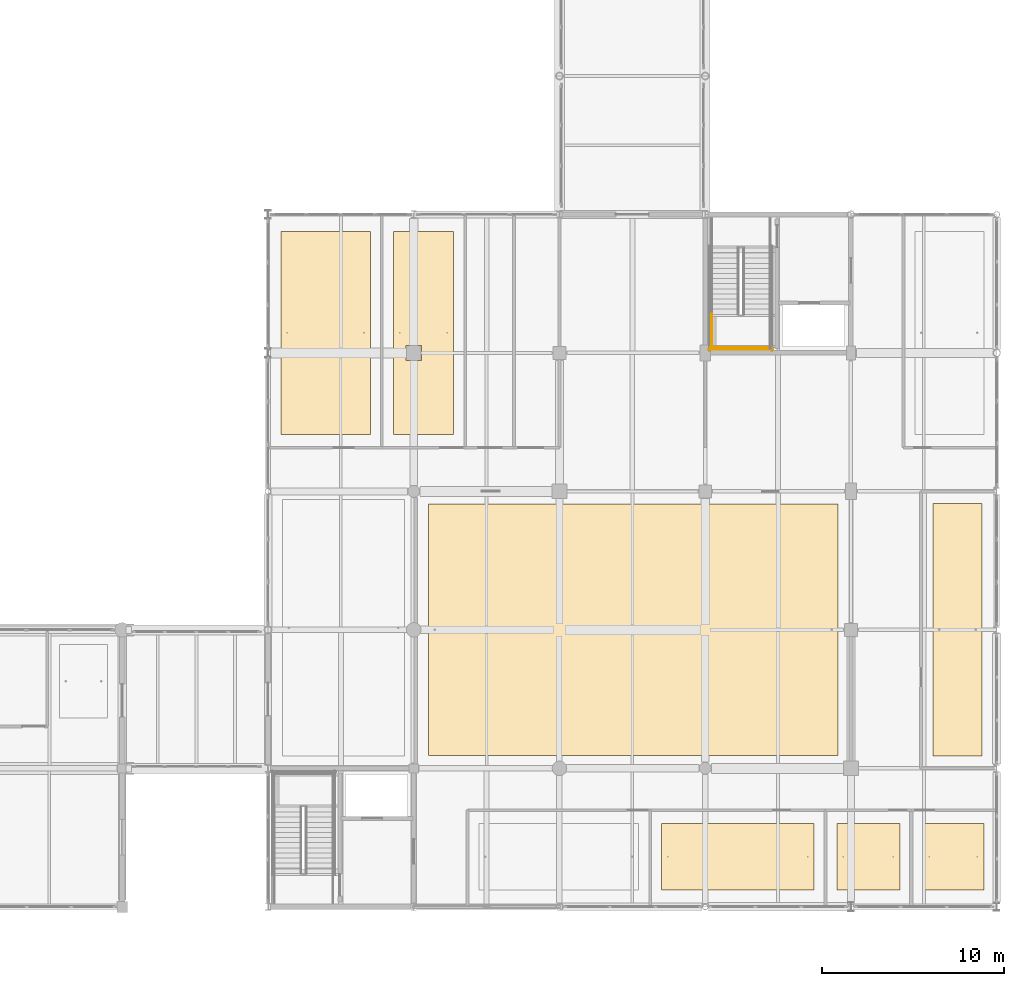
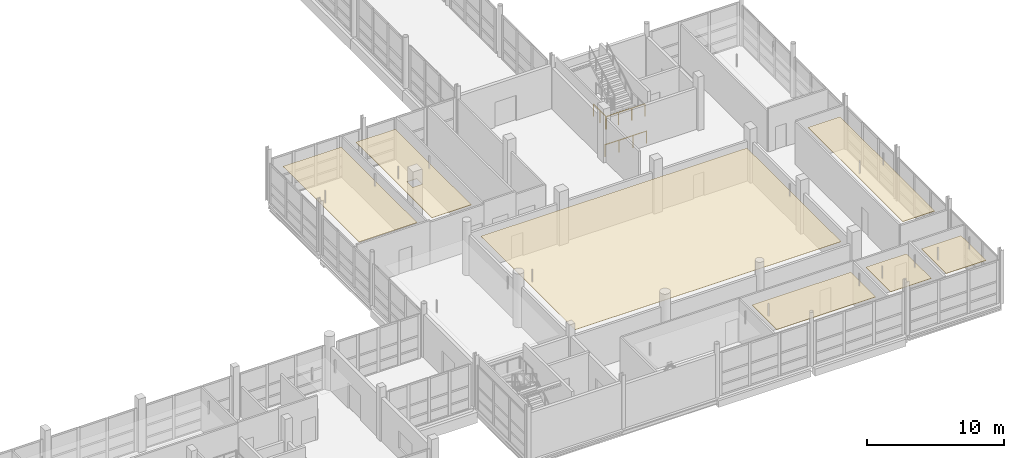
# One storey, part 137 of 141: 7 coverings, 3 railings.
"""IFC4 building model written with IfcOpenShell, lengths in metres."""

from ifc_helpers import new_model, si_unit, direction, frame, origin, origin_2d, place, context, subcontext, project, spatial, polyline, circle, outline, extrude, material, layer, layer_set, type_object, element, save


model = new_model("IFC4")

# Units and contexts
model_context = context("Model", 3, precision=1e-05, world=origin(), true_north=direction((0.0, 1.0)))
body_context = subcontext(model_context, "Body", "Model", "MODEL_VIEW")
ifc_project = project(units=[si_unit("LENGTHUNIT", "METRE"), si_unit("AREAUNIT", "SQUARE_METRE"), si_unit("VOLUMEUNIT", "CUBIC_METRE"), si_unit("PLANEANGLEUNIT", "RADIAN"), si_unit("MASSUNIT", "GRAM", prefix="KILO")], contexts=[model_context])

# Site, building, storey
site_placement = place(None, origin())
site = spatial("IfcSite", under=ifc_project, at=site_placement, CompositionType="ELEMENT")
building_placement = place(site_placement, origin())
building = spatial("IfcBuilding", under=site, at=building_placement, Name="Khelvaren Railside Concert Hall", CompositionType="ELEMENT")
storey_placement = place(building_placement, frame((0.0, 0.0, 10.199951171875)))
storey = spatial("IfcBuildingStorey", under=building, at=storey_placement, Name="L02", CompositionType="ELEMENT", Elevation=10.199951171875)

# Coverings
ifc_material_1 = material(Name="Mineral-wool acoustic baffle ceiling", Category="gypsum")
ifc_layer_1 = layer(ifc_material_1, 0.0400390625)
ifc_layer_set_1 = layer_set([ifc_layer_1], Name="Mineral-wool acoustic baffle ceiling")
covering_type_1 = type_object("IfcCoveringType", Name="CLG20", PredefinedType="CEILING", material=ifc_layer_set_1)
covering_1_placement = place(storey_placement, frame((0.0, 0.0, 3.41015625)))
element("IfcCovering", 1, at=covering_1_placement, inside=storey, type_object=covering_type_1, Name="Suspended Acoustic Ceiling Orchestra Manuscript Preparation Room L02", PredefinedType="CEILING", context=body_context, shape_type="SweptSolid", body=[
    extrude(outline(polyline([(180.5, 8.27001953125), (183.199951171875, 8.27001953125), (183.199951171875, 22.14990234375), (180.5, 22.14990234375), (180.5, 8.27001953125)])), origin(), (0.0, 0.0, 1.0), 0.039794921875),
])
covering_2_placement = place(storey_placement, frame((0.0, 0.0, 3.41015625)))
element("IfcCovering", 2, at=covering_2_placement, inside=storey, type_object=covering_type_1, Name="Suspended Acoustic Ceiling Orchestra Librarian Office", PredefinedType="CEILING", context=body_context, shape_type="SweptSolid", body=[
    extrude(outline(polyline([(165.60400390625, 0.929931640625), (173.967041015625, 0.929931640625), (173.967041015625, 4.570068359375), (165.60400390625, 4.570068359375), (165.60400390625, 0.929931640625)])), origin(), (0.0, 0.0, 1.0), 0.039794921875),
])
covering_3_placement = place(storey_placement, frame((0.0, 0.0, 3.41015625)))
element("IfcCovering", 3, at=covering_3_placement, inside=storey, type_object=covering_type_1, Name="Suspended Acoustic Ceiling V2 L02 Accessible WC", PredefinedType="CEILING", context=body_context, shape_type="SweptSolid", body=[
    extrude(outline(polyline([(179.93798828125, 0.929931640625), (183.2900390625, 0.929931640625), (183.2900390625, 4.570068359375), (179.93798828125, 4.570068359375), (179.93798828125, 0.929931640625)])), origin(), (0.0, 0.0, 1.0), 0.039794921875),
])
covering_4_placement = place(storey_placement, frame((0.0, 0.0, 3.41015625)))
element("IfcCovering", 4, at=covering_4_placement, inside=storey, type_object=covering_type_1, Name="Suspended Acoustic Ceiling Acoustic Editing Room L02", PredefinedType="CEILING", context=body_context, shape_type="SweptSolid", body=[
    extrude(outline(polyline([(150.87890625, 25.929931640625), (154.196044921875, 25.929931640625), (154.196044921875, 37.070068359375), (150.87890625, 37.070068359375), (150.87890625, 25.929931640625)]), holes=[polyline([(151.5849609375, 29.985107421875), (152.4150390625, 29.985107421875), (152.4150390625, 30.81494140625), (151.5849609375, 30.81494140625), (151.5849609375, 29.985107421875)])]), origin(), (0.0, 0.0, 1.0), 0.039794921875),
])
ifc_material_2 = material(Name="Micro-perforated timber acoustic ceiling", Category="wood")
ifc_layer_2 = layer(ifc_material_2, 0.030029296875)
ifc_layer_set_2 = layer_set([ifc_layer_2], Name="Micro-perforated timber acoustic ceiling")
covering_type_2 = type_object("IfcCoveringType", Name="CLG77", PredefinedType="CEILING", material=ifc_layer_set_2)
covering_5_placement = place(storey_placement, frame((0.0, 0.0, 3.420166015625)))
element("IfcCovering", 5, at=covering_5_placement, inside=storey, type_object=covering_type_2, Name="Suspended Acoustic Ceiling Orchestral Rehearsal Hall", PredefinedType="CEILING", context=body_context, shape_type="SweptSolid", body=[
    extrude(outline(polyline([(152.800048828125, 8.300048828125), (175.300048828125, 8.300048828125), (175.300048828125, 22.10009765625), (152.800048828125, 22.10009765625), (152.800048828125, 8.300048828125)])), origin(), (0.0, 0.0, 1.0), 0.02978515625),
])
covering_6_placement = place(storey_placement, frame((0.0, 0.0, 3.420166015625)))
element("IfcCovering", 6, at=covering_6_placement, inside=storey, type_object=covering_type_2, Name="Suspended Acoustic Ceiling V2 L02 Public WC", PredefinedType="CEILING", context=body_context, shape_type="SweptSolid", body=[
    extrude(outline(polyline([(175.22705078125, 0.929931640625), (178.677978515625, 0.929931640625), (178.677978515625, 4.570068359375), (175.22705078125, 4.570068359375), (175.22705078125, 0.929931640625)])), origin(), (0.0, 0.0, 1.0), 0.02978515625),
])
covering_7_placement = place(storey_placement, frame((0.0, 0.0, 3.420166015625)))
element("IfcCovering", 7, at=covering_7_placement, inside=storey, type_object=covering_type_2, Name="Suspended Acoustic Ceiling Chamber Recording Studio L02", PredefinedType="CEILING", context=body_context, shape_type="SweptSolid", body=[
    extrude(outline(polyline([(144.7099609375, 25.929931640625), (149.618896484375, 25.929931640625), (149.618896484375, 37.070068359375), (144.7099609375, 37.070068359375), (144.7099609375, 25.929931640625)])), origin(), (0.0, 0.0, 1.0), 0.02978515625),
])

# Railings
ifc_material_3 = material(Name="Painted architectural steel", Category="steel")
railing_type = type_object("IfcRailingType", Name="GRD86", PredefinedType="GUARDRAIL", material=ifc_material_3)
railing_1_placement = place(storey_placement, frame((168.35009765625, 32.52001953125, 2.400146484375)))
element("IfcRailing", 8, at=railing_1_placement, inside=storey, type_object=railing_type, Name="L02 ST-04 stair guard 3", PredefinedType="GUARDRAIL", context=body_context, shape_type="SweptSolid", body=[
    extrude(circle(Radius=0.02392578125, at=origin_2d()), frame((0.0, 0.0, 1.076171875), z_axis=(0.0, -1.0, 0.0), x_axis=(1.0, 0.0, 0.0)), (0.0, 0.0, 1.0), 1.880126953125),
    extrude(circle(Radius=0.02099609375, at=origin_2d()), origin(), (0.0, 0.0, 1.0), 1.052001953125),
    extrude(circle(Radius=0.02099609375, at=origin_2d()), frame((0.0, -0.93994140625, 0.0)), (0.0, 0.0, 1.0), 1.052001953125),
    extrude(circle(Radius=0.02099609375, at=origin_2d()), frame((0.0, -1.880126953125, 0.0)), (0.0, 0.0, 1.0), 1.052001953125),
])
railing_2_placement = place(storey_placement, frame((168.300048828125, 30.68994140625, 2.400146484375)))
element("IfcRailing", 9, at=railing_2_placement, inside=storey, type_object=railing_type, Name="L02 ST-04 stair guard 5", PredefinedType="GUARDRAIL", context=body_context, shape_type="SweptSolid", body=[
    extrude(circle(Radius=0.02392578125, at=origin_2d()), frame((0.0, 0.0, 1.076171875), z_axis=(1.0, 0.0, 0.0), x_axis=(0.0, 1.0, 0.0)), (0.0, 0.0, 1.0), 3.320068359375),
    extrude(circle(Radius=0.02099609375, at=origin_2d()), origin(), (0.0, 0.0, 1.0), 1.052001953125),
    extrude(circle(Radius=0.02099609375, at=origin_2d()), frame((1.106689453125, 0.0, 0.0)), (0.0, 0.0, 1.0), 1.052001953125),
    extrude(circle(Radius=0.02099609375, at=origin_2d()), frame((2.21337890625, 0.0, 0.0)), (0.0, 0.0, 1.0), 1.052001953125),
    extrude(circle(Radius=0.02099609375, at=origin_2d()), frame((3.320068359375, 0.0, 0.0)), (0.0, 0.0, 1.0), 1.052001953125),
])
railing_3_placement = place(storey_placement, frame((168.199951171875, 30.590087890625, 0.0)))
element("IfcRailing", 10, at=railing_3_placement, inside=storey, type_object=railing_type, Name="L02 ST-04 stair guard 12", PredefinedType="GUARDRAIL", context=body_context, shape_type="SweptSolid", body=[
    extrude(circle(Radius=0.02392578125, at=origin_2d()), frame((0.0, 0.0, 1.076171875), z_axis=(1.0, 0.0, 0.0), x_axis=(0.0, 1.0, 0.0)), (0.0, 0.0, 1.0), 3.52001953125),
    extrude(circle(Radius=0.02099609375, at=origin_2d()), origin(), (0.0, 0.0, 1.0), 1.052001953125),
    extrude(circle(Radius=0.02099609375, at=origin_2d()), frame((1.17333984375, 0.0, 0.0)), (0.0, 0.0, 1.0), 1.052001953125),
    extrude(circle(Radius=0.02099609375, at=origin_2d()), frame((2.3466796875, 0.0, 0.0)), (0.0, 0.0, 1.0), 1.052001953125),
    extrude(circle(Radius=0.02099609375, at=origin_2d()), frame((3.52001953125, 0.0, 0.0)), (0.0, 0.0, 1.0), 1.052001953125),
])

save(model, "model.ifc")
